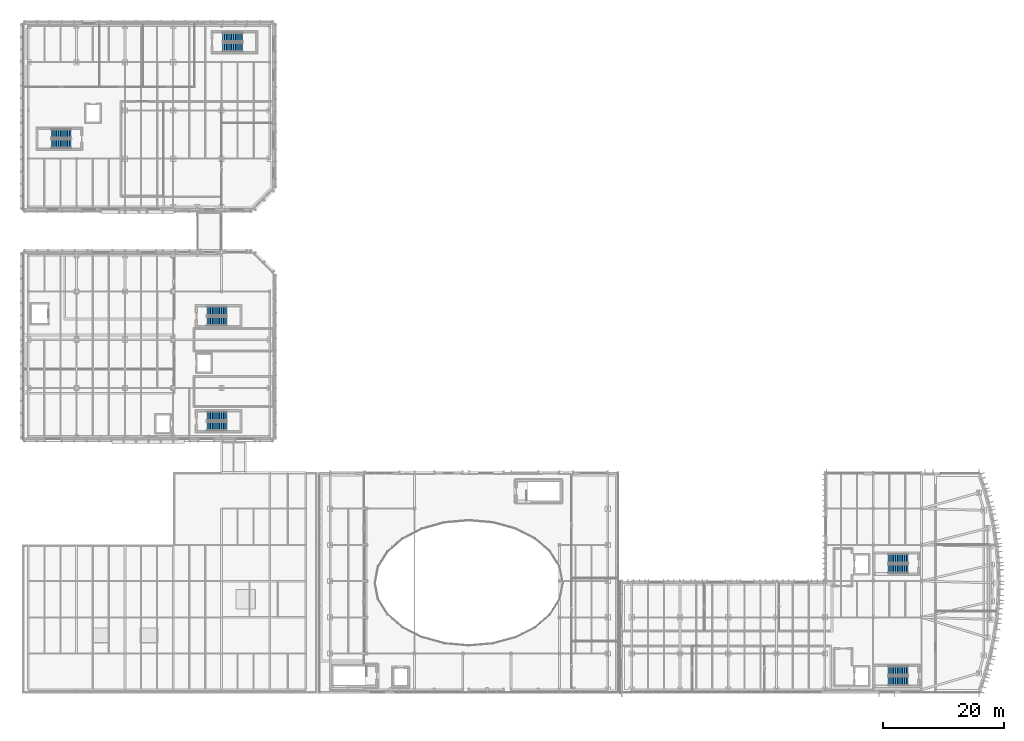
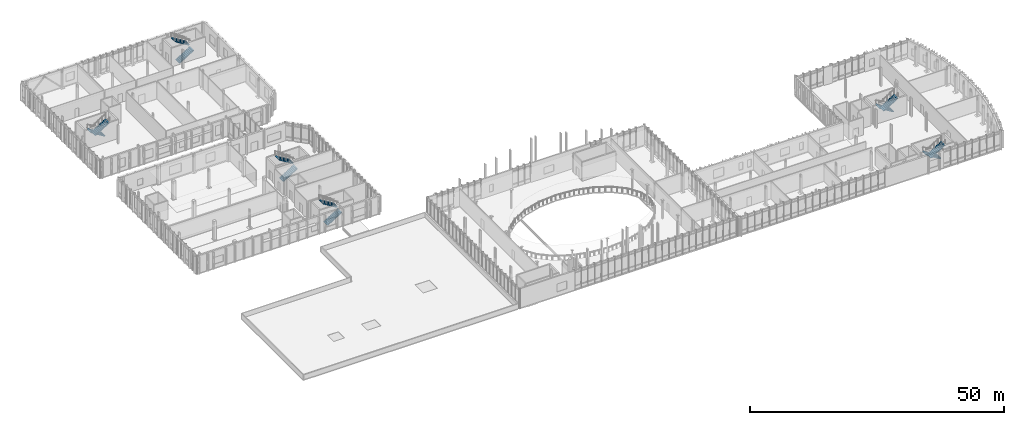
# One storey, part 67 of 86: 12 stair flights, 6 elements without a shape of their own.
"""IFC4 building model written with IfcOpenShell, lengths in metres."""

import ifcopenshell
import ifcopenshell.guid

model = None  # the IFC model being written
_history = None  # IfcOwnerHistory: only IFC2X3 demands one
_inside = {}  # id of a spatial element -> (the spatial element, [elements in it])
_under = {}  # id of a project, library or spatial element -> (it, [spatial elements below it])
_declared = {}  # id of a project -> (the project, [libraries it declares])
_typed = {}  # id of a type object -> (the type object, [elements of that type])
_made_of = {}  # id of a material, layer set ... -> (it, [elements and type objects made of it])


def new_model(schema):
    """Start an empty IFC model of exactly this schema.

    Asked for "IFC4X3", IfcOpenShell would pick the latest addendum, in which some entities
    have other attributes; the version numbers below select the first issue.
    IFC2X3 requires an IfcOwnerHistory on every rooted entity: one is made here for all.
    """
    global model, _history
    if schema == "IFC4X3":
        model = ifcopenshell.file(schema_version=(4, 3, 0, 0))
    else:
        model = ifcopenshell.file(schema=schema)
    _inside.clear()
    _under.clear()
    _declared.clear()
    _typed.clear()
    _made_of.clear()
    _history = None
    if model.schema == "IFC2X3":
        org = make("IfcOrganization", Name="unknown")
        user = make(
            "IfcPersonAndOrganization",
            ThePerson=make("IfcPerson", FamilyName="unknown"),
            TheOrganization=org,
        )
        app = make(
            "IfcApplication",
            ApplicationDeveloper=org,
            Version="unknown",
            ApplicationFullName="unknown",
            ApplicationIdentifier="unknown",
        )
        _history = make(
            "IfcOwnerHistory",
            OwningUser=user,
            OwningApplication=app,
            ChangeAction="ADDED",
            CreationDate=0,
        )
    return model


def make(cls, **values):
    """One entity of the class cls with the attributes given. An attribute that is None is left unset."""
    return model.create_entity(
        cls, **{name: value for name, value in values.items() if value is not None}
    )


def rooted(cls, **values):
    """An entity with a GlobalId (a new one), such as an element, a storey or a relation."""
    return make(cls, GlobalId=ifcopenshell.guid.new(), OwnerHistory=_history, **values)


def si_unit(unit_type, name, prefix=None):
    """IfcSIUnit, for example si_unit("LENGTHUNIT", "METRE", prefix="MILLI")."""
    return make("IfcSIUnit", UnitType=unit_type, Prefix=prefix, Name=name)


def assignment(units):
    """IfcUnitAssignment: the units of a project."""
    return None if units is None else make("IfcUnitAssignment", Units=units)


def point(xyz):
    """IfcCartesianPoint."""
    return None if xyz is None else make("IfcCartesianPoint", Coordinates=xyz)


def direction(xyz):
    """IfcDirection."""
    return None if xyz is None else make("IfcDirection", DirectionRatios=xyz)


def frame(location, z_axis=None, x_axis=None):
    """IfcAxis2Placement3D, a coordinate frame: its origin and axes. An axis left out is left unset."""
    return make(
        "IfcAxis2Placement3D",
        Location=point(location),
        Axis=direction(z_axis),
        RefDirection=direction(x_axis),
    )


def origin():
    """The frame at (0, 0, 0) with its axes left unset."""
    return frame((0.0, 0.0, 0.0))


def place(relative_to, where):
    """IfcLocalPlacement: puts the frame where relative to a parent placement (None: the world)."""
    return make(
        "IfcLocalPlacement", PlacementRelTo=relative_to, RelativePlacement=where
    )


def context(
    kind, dimensions, precision=None, world=None, true_north=None, identifier=None
):
    """IfcGeometricRepresentationContext, for example the 3D "Model" context."""
    return make(
        "IfcGeometricRepresentationContext",
        ContextIdentifier=identifier,
        ContextType=kind,
        CoordinateSpaceDimension=dimensions,
        Precision=precision,
        WorldCoordinateSystem=world,
        TrueNorth=true_north,
    )


def subcontext(parent, identifier, kind, view, scale=None):
    """IfcGeometricRepresentationSubContext, for example "Body" below "Model"."""
    return make(
        "IfcGeometricRepresentationSubContext",
        ContextIdentifier=identifier,
        ContextType=kind,
        ParentContext=parent,
        TargetScale=scale,
        TargetView=view,
    )


def project(units=None, contexts=None):
    """IfcProject with its units and contexts."""
    return rooted(
        "IfcProject",
        Name="project",
        RepresentationContexts=contexts,
        UnitsInContext=assignment(units),
    )


def spatial(cls, under=None, at=None, **own):
    """A site, building, storey or space (cls), placed at a placement, below another one or the project."""
    s = rooted(cls, ObjectPlacement=at, **own)
    if under is not None:
        _under.setdefault(under.id(), (under, []))[1].append(s)
    return s


def polyline(points):
    """IfcPolyline through the points."""
    return make("IfcPolyline", Points=[point(p) for p in points])


def outline(outer, holes=None, kind="AREA"):
    """IfcArbitraryClosedProfileDef: a profile drawn as a closed curve; with holes, ...WithVoids."""
    if holes is None:
        return make("IfcArbitraryClosedProfileDef", ProfileType=kind, OuterCurve=outer)
    return make(
        "IfcArbitraryProfileDefWithVoids",
        ProfileType=kind,
        OuterCurve=outer,
        InnerCurves=holes,
    )


def extrude(swept, where, along, depth):
    """IfcExtrudedAreaSolid: the profile swept, set in the frame where, extruded along a direction by depth."""
    return make(
        "IfcExtrudedAreaSolid",
        SweptArea=swept,
        Position=where,
        ExtrudedDirection=direction(along),
        Depth=depth,
    )


def shape(context_of_items, identifier, shape_type, items):
    """IfcShapeRepresentation: the items that make up one representation, for example the "Body"."""
    return make(
        "IfcShapeRepresentation",
        ContextOfItems=context_of_items,
        RepresentationIdentifier=identifier,
        RepresentationType=shape_type,
        Items=items,
    )


def material(Name=None, Category=None):
    """IfcMaterial."""
    return make("IfcMaterial", Name=Name, Category=Category)


def made_of(thing, what):
    """Note that an element or type object is made of a material, layer set ...; save() writes the relation."""
    if what is not None:
        _made_of.setdefault(what.id(), (what, []))[1].append(thing)
    return thing


def type_object(cls, material=None, **own):
    """A type object (cls), such as IfcWallType, which elements share."""
    return made_of(rooted(cls, **own), material)


def element(
    cls,
    number,
    at=None,
    inside=None,
    cuts=None,
    type_object=None,
    material=None,
    context=None,
    identifier="Body",
    shape_type=None,
    held_by="IfcProductDefinitionShape",
    body=None,
    shapes=None,
    **own,
):
    """One element of the class cls, such as IfcWall. Its Tag is "e" and its number.

    at: its placement. inside: the storey or other place that contains it. cuts: it is an
    opening in that element (IfcRelVoidsElement). A single representation is given by context,
    identifier, shape_type and body (its items); several are given by shapes. held_by: the class
    of the entity that holds the representations. save() writes the other relations.
    """
    e = rooted(cls, Tag="e%d" % number, ObjectPlacement=at, **own)
    if body is not None:
        shapes = [shape(context, identifier, shape_type, body)]
    if shapes is not None:
        e.Representation = make(held_by, Representations=shapes)
    if inside is not None:
        _inside.setdefault(inside.id(), (inside, []))[1].append(e)
    if cuts is not None:
        rooted(
            "IfcRelVoidsElement", RelatingBuildingElement=cuts, RelatedOpeningElement=e
        )
    if type_object is not None:
        _typed.setdefault(type_object.id(), (type_object, []))[1].append(e)
    return made_of(e, material)


def aggregate(whole, parts):
    """IfcRelAggregates: a whole, such as a stair, and the parts it consists of."""
    return rooted("IfcRelAggregates", RelatingObject=whole, RelatedObjects=parts)


def save(model, path):
    """Write the relations noted so far, then the file.

    IfcRelAggregates (storeys below a building ...), IfcRelContainedInSpatialStructure (elements
    in a storey), IfcRelDefinesByType, IfcRelAssociatesMaterial and IfcRelDeclares: one each for
    every whole, place, type object, material and project.
    """
    for whole, parts in _under.values():
        aggregate(whole, parts)
    for where, things in _inside.values():
        rooted(
            "IfcRelContainedInSpatialStructure",
            RelatedElements=things,
            RelatingStructure=where,
        )
    for kind, things in _typed.values():
        rooted("IfcRelDefinesByType", RelatedObjects=things, RelatingType=kind)
    for what, things in _made_of.values():
        rooted("IfcRelAssociatesMaterial", RelatedObjects=things, RelatingMaterial=what)
    for by, libraries in _declared.values():
        rooted("IfcRelDeclares", RelatingContext=by, RelatedDefinitions=libraries)
    model.write(path)


model = new_model("IFC4")

# Units and contexts
model_context = context("Model", 3, precision=1e-05, world=origin(), true_north=direction((0.0, 1.0)))
body_context = subcontext(model_context, "Body", "Model", "MODEL_VIEW")
ifc_project = project(units=[si_unit("LENGTHUNIT", "METRE"), si_unit("AREAUNIT", "SQUARE_METRE"), si_unit("VOLUMEUNIT", "CUBIC_METRE"), si_unit("PLANEANGLEUNIT", "RADIAN"), si_unit("MASSUNIT", "GRAM", prefix="KILO")], contexts=[model_context])

# Site, building, storey
site_placement = place(None, origin())
site = spatial("IfcSite", under=ifc_project, at=site_placement, CompositionType="ELEMENT")
building_placement = place(site_placement, origin())
building = spatial("IfcBuilding", under=site, at=building_placement, Name="Cymarion Research Institute", CompositionType="ELEMENT")
storey_placement = place(building_placement, frame((0.0, 0.0, 13.800048828125)))
storey = spatial("IfcBuildingStorey", under=building, at=storey_placement, Name="L03", CompositionType="ELEMENT", Elevation=13.800048828125)

# Stair, stair flights
ifc_material = material(Name="Concrete C35/45", Category="concrete")
stair_type = type_object("IfcStairType", Name="REINFORCED CONCRETE DOGLEG STAIR STR-4500", PredefinedType="HALF_TURN_STAIR", material=ifc_material)
stair_1_placement = place(storey_placement, origin())
stair_1 = element("IfcStair", 1, at=stair_1_placement, inside=storey, type_object=stair_type, Name="L03 Core C1 Smoke-Proof Exit Stair ST1", PredefinedType="HALF_TURN_STAIR")
stair_flight_type = type_object("IfcStairFlightType", Name="REINFORCED CONCRETE STAIR FLIGHT SFL-4500", PredefinedType="STRAIGHT", material=ifc_material)
stair_flight_1_placement = place(storey_placement, frame((152.39990234375, 8.639892578125, 0.0), z_axis=(0.0, 0.0, 1.0), x_axis=(-1.0, 0.0, 0.0)))
stair_flight_1 = element("IfcStairFlight", 2, at=stair_flight_1_placement, type_object=stair_flight_type, Name="ST1 flight 1", NumberOfRisers=12, NumberOfTreads=11, PredefinedType="STRAIGHT", RiserHeight=0.1875, TreadLength=0.3, context=body_context, shape_type="SweptSolid", body=[
    extrude(outline(polyline([(0.0, 0.0), (0.0, 0.1875), (0.300048828125, 0.1875), (0.300048828125, 0.375), (0.60009765625, 0.375), (0.60009765625, 0.5625), (0.89990234375, 0.5625), (0.89990234375, 0.75), (1.199951171875, 0.75), (1.199951171875, 0.9375), (1.5, 0.9375), (1.5, 1.125), (1.800048828125, 1.125), (1.800048828125, 1.3125), (2.10009765625, 1.3125), (2.10009765625, 1.5), (2.39990234375, 1.5), (2.39990234375, 1.6875), (2.699951171875, 1.6875), (2.699951171875, 1.875), (3.0, 1.875), (3.0, 2.0625), (3.300048828125, 2.0625), (3.300048828125, 2.25), (3.300048828125, 1.8857421875), (0.28271484375, 0.0), (0.0, 0.0)])), frame((0.0, 0.760009765625, 0.0), z_axis=(0.0, -1.0, 0.0), x_axis=(1.0, 0.0, 0.0)), (0.0, 0.0, 1.0), 1.52001953125),
])
stair_flight_2_placement = place(storey_placement, frame((149.10009765625, 6.9599609375, 2.25), z_axis=(0.0, 0.0, 1.0), x_axis=(1.0, 0.0, 0.0)))
stair_flight_2 = element("IfcStairFlight", 3, at=stair_flight_2_placement, type_object=stair_flight_type, Name="ST1 flight 2", NumberOfRisers=12, NumberOfTreads=11, PredefinedType="STRAIGHT", RiserHeight=0.1875, TreadLength=0.3, context=body_context, shape_type="SweptSolid", body=[
    extrude(outline(polyline([(0.0, 0.0), (0.0, 0.1875), (0.300048828125, 0.1875), (0.300048828125, 0.375), (0.60009765625, 0.375), (0.60009765625, 0.5625), (0.89990234375, 0.5625), (0.89990234375, 0.75), (1.199951171875, 0.75), (1.199951171875, 0.9375), (1.5, 0.9375), (1.5, 1.125), (1.800048828125, 1.125), (1.800048828125, 1.3125), (2.10009765625, 1.3125), (2.10009765625, 1.5), (2.39990234375, 1.5), (2.39990234375, 1.6875), (2.699951171875, 1.6875), (2.699951171875, 1.875), (3.0, 1.875), (3.0, 2.0625), (3.300048828125, 2.0625), (3.300048828125, 2.25), (3.300048828125, 1.8857421875), (0.28271484375, 0.0), (0.0, 0.0)])), frame((0.0, 0.760009765625, 0.0), z_axis=(0.0, -1.0, 0.0), x_axis=(1.0, 0.0, 0.0)), (0.0, 0.0, 1.0), 1.52001953125),
])
aggregate(stair_1, [stair_flight_1, stair_flight_2])

stair_2_placement = place(storey_placement, origin())
stair_2 = element("IfcStair", 4, at=stair_2_placement, inside=storey, type_object=stair_type, Name="L03 Core C2 Smoke-Proof Exit Stair ST2", PredefinedType="HALF_TURN_STAIR")
stair_flight_3_placement = place(storey_placement, frame((152.39990234375, 27.239990234375, 0.0), z_axis=(0.0, 0.0, 1.0), x_axis=(-1.0, 0.0, 0.0)))
stair_flight_3 = element("IfcStairFlight", 5, at=stair_flight_3_placement, type_object=stair_flight_type, Name="ST2 flight 1", NumberOfRisers=12, NumberOfTreads=11, PredefinedType="STRAIGHT", RiserHeight=0.1875, TreadLength=0.3, context=body_context, shape_type="SweptSolid", body=[
    extrude(outline(polyline([(0.0, 0.0), (0.0, 0.1875), (0.300048828125, 0.1875), (0.300048828125, 0.375), (0.60009765625, 0.375), (0.60009765625, 0.5625), (0.89990234375, 0.5625), (0.89990234375, 0.75), (1.199951171875, 0.75), (1.199951171875, 0.9375), (1.5, 0.9375), (1.5, 1.125), (1.800048828125, 1.125), (1.800048828125, 1.3125), (2.10009765625, 1.3125), (2.10009765625, 1.5), (2.39990234375, 1.5), (2.39990234375, 1.6875), (2.699951171875, 1.6875), (2.699951171875, 1.875), (3.0, 1.875), (3.0, 2.0625), (3.300048828125, 2.0625), (3.300048828125, 2.25), (3.300048828125, 1.8857421875), (0.28271484375, 0.0), (0.0, 0.0)])), frame((0.0, 0.760009765625, 0.0), z_axis=(0.0, -1.0, 0.0), x_axis=(1.0, 0.0, 0.0)), (0.0, 0.0, 1.0), 1.52001953125),
])
stair_flight_4_placement = place(storey_placement, frame((149.10009765625, 25.56005859375, 2.25), z_axis=(0.0, 0.0, 1.0), x_axis=(1.0, 0.0, 0.0)))
stair_flight_4 = element("IfcStairFlight", 6, at=stair_flight_4_placement, type_object=stair_flight_type, Name="ST2 flight 2", NumberOfRisers=12, NumberOfTreads=11, PredefinedType="STRAIGHT", RiserHeight=0.1875, TreadLength=0.3, context=body_context, shape_type="SweptSolid", body=[
    extrude(outline(polyline([(0.0, 0.0), (0.0, 0.1875), (0.300048828125, 0.1875), (0.300048828125, 0.375), (0.60009765625, 0.375), (0.60009765625, 0.5625), (0.89990234375, 0.5625), (0.89990234375, 0.75), (1.199951171875, 0.75), (1.199951171875, 0.9375), (1.5, 0.9375), (1.5, 1.125), (1.800048828125, 1.125), (1.800048828125, 1.3125), (2.10009765625, 1.3125), (2.10009765625, 1.5), (2.39990234375, 1.5), (2.39990234375, 1.6875), (2.699951171875, 1.6875), (2.699951171875, 1.875), (3.0, 1.875), (3.0, 2.0625), (3.300048828125, 2.0625), (3.300048828125, 2.25), (3.300048828125, 1.8857421875), (0.28271484375, 0.0), (0.0, 0.0)])), frame((0.0, 0.760009765625, 0.0), z_axis=(0.0, -1.0, 0.0), x_axis=(1.0, 0.0, 0.0)), (0.0, 0.0, 1.0), 1.52001953125),
])
aggregate(stair_2, [stair_flight_3, stair_flight_4])

stair_3_placement = place(storey_placement, origin())
stair_3 = element("IfcStair", 7, at=stair_3_placement, inside=storey, type_object=stair_type, Name="L03 Core C7 Smoke-Proof Exit Stair ST7", PredefinedType="HALF_TURN_STAIR")
stair_flight_5_placement = place(storey_placement, frame((36.199951171875, 49.159912109375, 0.0), z_axis=(0.0, 0.0, 1.0), x_axis=(1.0, 0.0, 0.0)))
stair_flight_5 = element("IfcStairFlight", 8, at=stair_flight_5_placement, type_object=stair_flight_type, Name="ST7 flight 1", NumberOfRisers=12, NumberOfTreads=11, PredefinedType="STRAIGHT", RiserHeight=0.1875, TreadLength=0.3, context=body_context, shape_type="SweptSolid", body=[
    extrude(outline(polyline([(0.0, 0.0), (0.0, 0.1875), (0.300048828125, 0.1875), (0.300048828125, 0.375), (0.60009765625, 0.375), (0.60009765625, 0.5625), (0.89990234375, 0.5625), (0.89990234375, 0.75), (1.199951171875, 0.75), (1.199951171875, 0.9375), (1.5, 0.9375), (1.5, 1.125), (1.800048828125, 1.125), (1.800048828125, 1.3125), (2.10009765625, 1.3125), (2.10009765625, 1.5), (2.39990234375, 1.5), (2.39990234375, 1.6875), (2.699951171875, 1.6875), (2.699951171875, 1.875), (3.0, 1.875), (3.0, 2.0625), (3.300048828125, 2.0625), (3.300048828125, 2.25), (3.300048828125, 1.8857421875), (0.28271484375, 0.0), (0.0, 0.0)])), frame((0.0, 0.760009765625, 0.0), z_axis=(0.0, -1.0, 0.0), x_axis=(1.0, 0.0, 0.0)), (0.0, 0.0, 1.0), 1.52001953125),
])
stair_flight_6_placement = place(storey_placement, frame((39.5, 50.840087890625, 2.25), z_axis=(0.0, 0.0, 1.0), x_axis=(-1.0, 0.0, 0.0)))
stair_flight_6 = element("IfcStairFlight", 9, at=stair_flight_6_placement, type_object=stair_flight_type, Name="ST7 flight 2", NumberOfRisers=12, NumberOfTreads=11, PredefinedType="STRAIGHT", RiserHeight=0.1875, TreadLength=0.3, context=body_context, shape_type="SweptSolid", body=[
    extrude(outline(polyline([(0.0, 0.0), (0.0, 0.1875), (0.300048828125, 0.1875), (0.300048828125, 0.375), (0.60009765625, 0.375), (0.60009765625, 0.5625), (0.89990234375, 0.5625), (0.89990234375, 0.75), (1.199951171875, 0.75), (1.199951171875, 0.9375), (1.5, 0.9375), (1.5, 1.125), (1.800048828125, 1.125), (1.800048828125, 1.3125), (2.10009765625, 1.3125), (2.10009765625, 1.5), (2.39990234375, 1.5), (2.39990234375, 1.6875), (2.699951171875, 1.6875), (2.699951171875, 1.875), (3.0, 1.875), (3.0, 2.0625), (3.300048828125, 2.0625), (3.300048828125, 2.25), (3.300048828125, 1.8857421875), (0.28271484375, 0.0), (0.0, 0.0)])), frame((0.0, 0.760009765625, 0.0), z_axis=(0.0, -1.0, 0.0), x_axis=(1.0, 0.0, 0.0)), (0.0, 0.0, 1.0), 1.52001953125),
])
aggregate(stair_3, [stair_flight_5, stair_flight_6])

stair_4_placement = place(storey_placement, origin())
stair_4 = element("IfcStair", 10, at=stair_4_placement, inside=storey, type_object=stair_type, Name="L03 Core C8 Smoke-Proof Exit Stair ST8", PredefinedType="HALF_TURN_STAIR")
stair_flight_7_placement = place(storey_placement, frame((36.199951171875, 66.56005859375, 0.0), z_axis=(0.0, 0.0, 1.0), x_axis=(1.0, 0.0, 0.0)))
stair_flight_7 = element("IfcStairFlight", 11, at=stair_flight_7_placement, type_object=stair_flight_type, Name="ST8 flight 1", NumberOfRisers=12, NumberOfTreads=11, PredefinedType="STRAIGHT", RiserHeight=0.1875, TreadLength=0.3, context=body_context, shape_type="SweptSolid", body=[
    extrude(outline(polyline([(0.0, 0.0), (0.0, 0.1875), (0.300048828125, 0.1875), (0.300048828125, 0.375), (0.60009765625, 0.375), (0.60009765625, 0.5625), (0.89990234375, 0.5625), (0.89990234375, 0.75), (1.199951171875, 0.75), (1.199951171875, 0.9375), (1.5, 0.9375), (1.5, 1.125), (1.800048828125, 1.125), (1.800048828125, 1.3125), (2.10009765625, 1.3125), (2.10009765625, 1.5), (2.39990234375, 1.5), (2.39990234375, 1.6875), (2.699951171875, 1.6875), (2.699951171875, 1.875), (3.0, 1.875), (3.0, 2.0625), (3.300048828125, 2.0625), (3.300048828125, 2.25), (3.300048828125, 1.8857421875), (0.28271484375, 0.0), (0.0, 0.0)])), frame((0.0, 0.760009765625, 0.0), z_axis=(0.0, -1.0, 0.0), x_axis=(1.0, 0.0, 0.0)), (0.0, 0.0, 1.0), 1.52001953125),
])
stair_flight_8_placement = place(storey_placement, frame((39.5, 68.239990234375, 2.25), z_axis=(0.0, 0.0, 1.0), x_axis=(-1.0, 0.0, 0.0)))
stair_flight_8 = element("IfcStairFlight", 12, at=stair_flight_8_placement, type_object=stair_flight_type, Name="ST8 flight 2", NumberOfRisers=12, NumberOfTreads=11, PredefinedType="STRAIGHT", RiserHeight=0.1875, TreadLength=0.3, context=body_context, shape_type="SweptSolid", body=[
    extrude(outline(polyline([(0.0, 0.0), (0.0, 0.1875), (0.300048828125, 0.1875), (0.300048828125, 0.375), (0.60009765625, 0.375), (0.60009765625, 0.5625), (0.89990234375, 0.5625), (0.89990234375, 0.75), (1.199951171875, 0.75), (1.199951171875, 0.9375), (1.5, 0.9375), (1.5, 1.125), (1.800048828125, 1.125), (1.800048828125, 1.3125), (2.10009765625, 1.3125), (2.10009765625, 1.5), (2.39990234375, 1.5), (2.39990234375, 1.6875), (2.699951171875, 1.6875), (2.699951171875, 1.875), (3.0, 1.875), (3.0, 2.0625), (3.300048828125, 2.0625), (3.300048828125, 2.25), (3.300048828125, 1.8857421875), (0.28271484375, 0.0), (0.0, 0.0)])), frame((0.0, 0.760009765625, 0.0), z_axis=(0.0, -1.0, 0.0), x_axis=(1.0, 0.0, 0.0)), (0.0, 0.0, 1.0), 1.52001953125),
])
aggregate(stair_4, [stair_flight_7, stair_flight_8])

stair_5_placement = place(storey_placement, origin())
stair_5 = element("IfcStair", 13, at=stair_5_placement, inside=storey, type_object=stair_type, Name="L03 Core C9 Smoke-Proof Exit Stair ST9", PredefinedType="HALF_TURN_STAIR")
stair_flight_9_placement = place(storey_placement, frame((13.699951171875, 97.639892578125, 0.0), z_axis=(0.0, 0.0, 1.0), x_axis=(-1.0, 0.0, 0.0)))
stair_flight_9 = element("IfcStairFlight", 14, at=stair_flight_9_placement, type_object=stair_flight_type, Name="ST9 flight 1", NumberOfRisers=12, NumberOfTreads=11, PredefinedType="STRAIGHT", RiserHeight=0.1875, TreadLength=0.3, context=body_context, shape_type="SweptSolid", body=[
    extrude(outline(polyline([(0.0, 0.0), (0.0, 0.1875), (0.300048828125, 0.1875), (0.300048828125, 0.375), (0.60009765625, 0.375), (0.60009765625, 0.5625), (0.89990234375, 0.5625), (0.89990234375, 0.75), (1.199951171875, 0.75), (1.199951171875, 0.9375), (1.5, 0.9375), (1.5, 1.125), (1.800048828125, 1.125), (1.800048828125, 1.3125), (2.10009765625, 1.3125), (2.10009765625, 1.5), (2.39990234375, 1.5), (2.39990234375, 1.6875), (2.699951171875, 1.6875), (2.699951171875, 1.875), (3.0, 1.875), (3.0, 2.0625), (3.300048828125, 2.0625), (3.300048828125, 2.25), (3.300048828125, 1.8857421875), (0.28271484375, 0.0), (0.0, 0.0)])), frame((0.0, 0.760009765625, 0.0), z_axis=(0.0, -1.0, 0.0), x_axis=(1.0, 0.0, 0.0)), (0.0, 0.0, 1.0), 1.52001953125),
])
stair_flight_10_placement = place(storey_placement, frame((10.39990234375, 95.9599609375, 2.25), z_axis=(0.0, 0.0, 1.0), x_axis=(1.0, 0.0, 0.0)))
stair_flight_10 = element("IfcStairFlight", 15, at=stair_flight_10_placement, type_object=stair_flight_type, Name="ST9 flight 2", NumberOfRisers=12, NumberOfTreads=11, PredefinedType="STRAIGHT", RiserHeight=0.1875, TreadLength=0.3, context=body_context, shape_type="SweptSolid", body=[
    extrude(outline(polyline([(0.0, 0.0), (0.0, 0.1875), (0.300048828125, 0.1875), (0.300048828125, 0.375), (0.60009765625, 0.375), (0.60009765625, 0.5625), (0.89990234375, 0.5625), (0.89990234375, 0.75), (1.199951171875, 0.75), (1.199951171875, 0.9375), (1.5, 0.9375), (1.5, 1.125), (1.800048828125, 1.125), (1.800048828125, 1.3125), (2.10009765625, 1.3125), (2.10009765625, 1.5), (2.39990234375, 1.5), (2.39990234375, 1.6875), (2.699951171875, 1.6875), (2.699951171875, 1.875), (3.0, 1.875), (3.0, 2.0625), (3.300048828125, 2.0625), (3.300048828125, 2.25), (3.300048828125, 1.8857421875), (0.28271484375, 0.0), (0.0, 0.0)])), frame((0.0, 0.760009765625, 0.0), z_axis=(0.0, -1.0, 0.0), x_axis=(1.0, 0.0, 0.0)), (0.0, 0.0, 1.0), 1.52001953125),
])
aggregate(stair_5, [stair_flight_9, stair_flight_10])

stair_6_placement = place(storey_placement, origin())
stair_6 = element("IfcStair", 16, at=stair_6_placement, inside=storey, type_object=stair_type, Name="L03 Core C10 Smoke-Proof Exit Stair ST10", PredefinedType="HALF_TURN_STAIR")
stair_flight_11_placement = place(storey_placement, frame((38.800048828125, 111.9599609375, 0.0), z_axis=(0.0, 0.0, 1.0), x_axis=(1.0, 0.0, 0.0)))
stair_flight_11 = element("IfcStairFlight", 17, at=stair_flight_11_placement, type_object=stair_flight_type, Name="ST10 flight 1", NumberOfRisers=12, NumberOfTreads=11, PredefinedType="STRAIGHT", RiserHeight=0.1875, TreadLength=0.3, context=body_context, shape_type="SweptSolid", body=[
    extrude(outline(polyline([(0.0, 0.0), (0.0, 0.1875), (0.300048828125, 0.1875), (0.300048828125, 0.375), (0.60009765625, 0.375), (0.60009765625, 0.5625), (0.89990234375, 0.5625), (0.89990234375, 0.75), (1.199951171875, 0.75), (1.199951171875, 0.9375), (1.5, 0.9375), (1.5, 1.125), (1.800048828125, 1.125), (1.800048828125, 1.3125), (2.10009765625, 1.3125), (2.10009765625, 1.5), (2.39990234375, 1.5), (2.39990234375, 1.6875), (2.699951171875, 1.6875), (2.699951171875, 1.875), (3.0, 1.875), (3.0, 2.0625), (3.300048828125, 2.0625), (3.300048828125, 2.25), (3.300048828125, 1.8857421875), (0.28271484375, 0.0), (0.0, 0.0)])), frame((0.0, 0.760009765625, 0.0), z_axis=(0.0, -1.0, 0.0), x_axis=(1.0, 0.0, 0.0)), (0.0, 0.0, 1.0), 1.52001953125),
])
stair_flight_12_placement = place(storey_placement, frame((42.10009765625, 113.639892578125, 2.25), z_axis=(0.0, 0.0, 1.0), x_axis=(-1.0, 0.0, 0.0)))
stair_flight_12 = element("IfcStairFlight", 18, at=stair_flight_12_placement, type_object=stair_flight_type, Name="ST10 flight 2", NumberOfRisers=12, NumberOfTreads=11, PredefinedType="STRAIGHT", RiserHeight=0.1875, TreadLength=0.3, context=body_context, shape_type="SweptSolid", body=[
    extrude(outline(polyline([(0.0, 0.0), (0.0, 0.1875), (0.300048828125, 0.1875), (0.300048828125, 0.375), (0.60009765625, 0.375), (0.60009765625, 0.5625), (0.89990234375, 0.5625), (0.89990234375, 0.75), (1.199951171875, 0.75), (1.199951171875, 0.9375), (1.5, 0.9375), (1.5, 1.125), (1.800048828125, 1.125), (1.800048828125, 1.3125), (2.10009765625, 1.3125), (2.10009765625, 1.5), (2.39990234375, 1.5), (2.39990234375, 1.6875), (2.699951171875, 1.6875), (2.699951171875, 1.875), (3.0, 1.875), (3.0, 2.0625), (3.300048828125, 2.0625), (3.300048828125, 2.25), (3.300048828125, 1.8857421875), (0.28271484375, 0.0), (0.0, 0.0)])), frame((0.0, 0.760009765625, 0.0), z_axis=(0.0, -1.0, 0.0), x_axis=(1.0, 0.0, 0.0)), (0.0, 0.0, 1.0), 1.52001953125),
])
aggregate(stair_6, [stair_flight_11, stair_flight_12])

save(model, "model.ifc")
